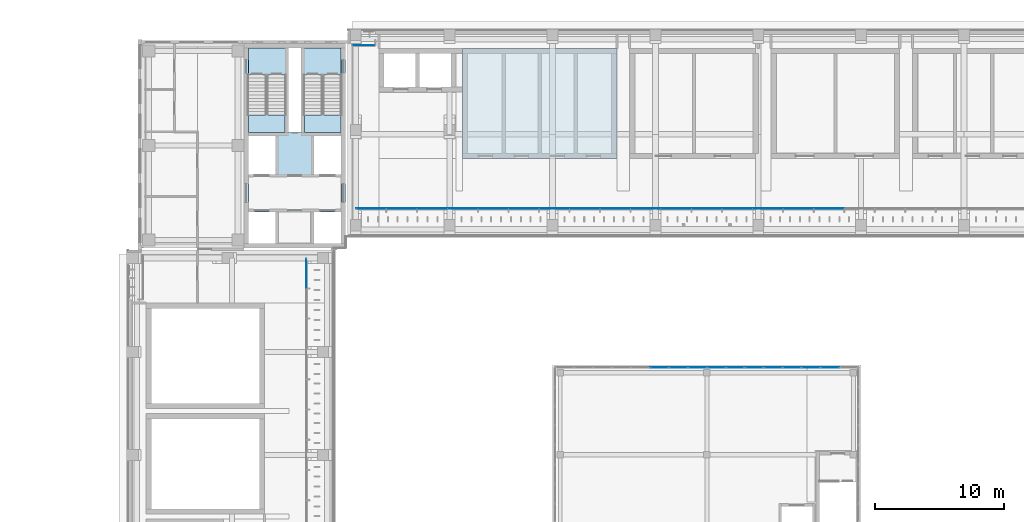
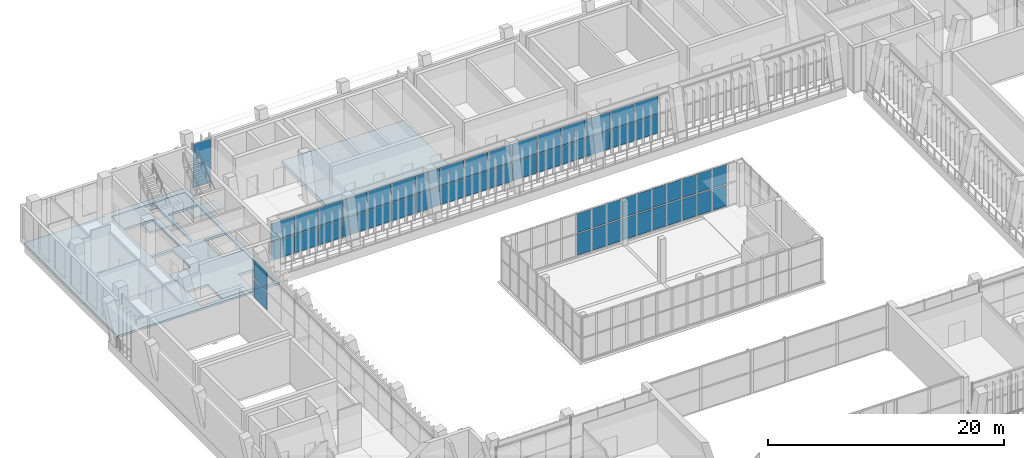
# One storey, part 55 of 92: 56 plates, 5 slabs, 6 elements without a shape of their own.
"""IFC4 building model written with IfcOpenShell, lengths in metres."""

from ifc_helpers import new_model, si_unit, direction, frame, origin, origin_2d, place, context, subcontext, project, spatial, polyline, rectangle, outline, extrude, material, layer, layer_set, type_object, element, aggregate, save


model = new_model("IFC4")

# Units and contexts
model_context = context("Model", 3, precision=1e-05, world=origin(), true_north=direction((0.0, 1.0)))
body_context = subcontext(model_context, "Body", "Model", "MODEL_VIEW")
ifc_project = project(units=[si_unit("LENGTHUNIT", "METRE"), si_unit("AREAUNIT", "SQUARE_METRE"), si_unit("VOLUMEUNIT", "CUBIC_METRE"), si_unit("PLANEANGLEUNIT", "RADIAN"), si_unit("MASSUNIT", "GRAM", prefix="KILO")], contexts=[model_context])

# Site, building, storey
site_placement = place(None, origin())
site = spatial("IfcSite", under=ifc_project, at=site_placement, CompositionType="ELEMENT")
building_placement = place(site_placement, origin())
building = spatial("IfcBuilding", under=site, at=building_placement, Name="Lantern Court Media Centre", CompositionType="ELEMENT")
storey_placement = place(building_placement, frame((0.0, 0.0, 4.800048828125)))
storey = spatial("IfcBuildingStorey", under=building, at=storey_placement, Name="L01", CompositionType="ELEMENT", Elevation=4.800048828125)

# Slab
ifc_material_1 = material(Name="Concrete C40", Category="concrete")
ifc_layer_1 = layer(ifc_material_1, 0.25)
ifc_layer_set_1 = layer_set([ifc_layer_1], Name="Concrete C40")
slab_type_1 = type_object("IfcSlabType", Name="Core floor slab 250", PredefinedType="FLOOR", material=ifc_layer_set_1)
slab_1_placement = place(storey_placement, frame((0.0, 0.0, -0.25)))
element("IfcSlab", 1, at=slab_1_placement, inside=storey, type_object=slab_type_1, Name="L01 NW core floor", PredefinedType="FLOOR", context=body_context, shape_type="SweptSolid", body=[
    extrude(outline(polyline([(16.35009765625, 104.800048828125), (16.35009765625, 105.05029296875), (19.19970703125, 105.05029296875), (19.19970703125, 109.549560546875), (16.35009765625, 109.549560546875), (16.35009765625, 111.64990234375), (19.449951171875, 111.64990234375), (19.449951171875, 105.050048828125), (20.449951171875, 105.050048828125), (20.449951171875, 111.64990234375), (23.550048828125, 111.64990234375), (23.550048828125, 109.549560546875), (20.700439453125, 109.549560546875), (20.700439453125, 105.05029296875), (23.550048828125, 105.05029296875), (23.550048828125, 104.800048828125), (21.449951171875, 104.800048828125), (21.449951171875, 101.800048828125), (23.550048828125, 101.800048828125), (23.550048828125, 98.89990234375), (21.449951171875, 98.89990234375), (21.449951171875, 96.449951171875), (18.449951171875, 96.449951171875), (18.449951171875, 98.89990234375), (16.35009765625, 98.89990234375), (16.35009765625, 101.800048828125), (18.449951171875, 101.800048828125), (18.449951171875, 104.800048828125), (16.35009765625, 104.800048828125)])), origin(), (0.0, 0.0, 1.0), 0.25),
])

# Curtain wall, plates
ifc_material_2 = material(Name="Curtain wall bay 2400")
curtain_wall_type_1 = type_object("IfcCurtainWallType", Name="Curtain wall bay 2400", PredefinedType="NOTDEFINED", material=ifc_material_2)
curtain_wall_1_placement = place(storey_placement, origin())
curtain_wall_1 = element("IfcCurtainWall", 2, at=curtain_wall_1_placement, inside=storey, type_object=curtain_wall_type_1, Name="Curtain wall N inner L01", PredefinedType="NOTDEFINED")
ifc_material_3 = material(Name="Low-iron double glazed unit glass", Category="glass")
ifc_layer_2 = layer(ifc_material_3, 0.02392578125)
ifc_layer_set_2 = layer_set([ifc_layer_2], Name="Low-iron double glazed unit glass")
plate_type_1 = type_object("IfcPlateType", Name="Curtain wall glazing unit 24", PredefinedType="CURTAIN_PANEL", material=ifc_layer_set_2)
plate_1_placement = place(storey_placement, frame((25.8994140625, 99.14990234375, 0.050048828125), z_axis=(0.0, 0.0, 1.0), x_axis=(1.0, 0.0, 0.0)))
plate_1 = element("IfcPlate", 3, at=plate_1_placement, type_object=plate_type_1, Name="CW2 panel 1.1", PredefinedType="CURTAIN_PANEL", context=body_context, shape_type="SweptSolid", body=[
    extrude(rectangle(XDim=2.298828125, YDim=0.02392578125, at=origin_2d()), origin(), (0.0, 0.0, 1.0), 1.89990234375),
])
plate_2_placement = place(storey_placement, frame((25.8994140625, 99.14990234375, 2.0), z_axis=(0.0, 0.0, 1.0), x_axis=(1.0, 0.0, 0.0)))
plate_2 = element("IfcPlate", 4, at=plate_2_placement, type_object=plate_type_1, Name="CW2 panel 1.2", PredefinedType="CURTAIN_PANEL", context=body_context, shape_type="SweptSolid", body=[
    extrude(rectangle(XDim=2.298828125, YDim=0.02392578125, at=origin_2d()), origin(), (0.0, 0.0, 1.0), 1.89990234375),
])
plate_3_placement = place(storey_placement, frame((28.260986328125, 99.14990234375, 0.050048828125), z_axis=(0.0, 0.0, 1.0), x_axis=(1.0, 0.0, 0.0)))
plate_3 = element("IfcPlate", 5, at=plate_3_placement, type_object=plate_type_1, Name="CW2 panel 2.1", PredefinedType="CURTAIN_PANEL", context=body_context, shape_type="SweptSolid", body=[
    extrude(rectangle(XDim=2.323974609375, YDim=0.02392578125, at=origin_2d()), origin(), (0.0, 0.0, 1.0), 1.89990234375),
])
plate_4_placement = place(storey_placement, frame((28.260986328125, 99.14990234375, 2.0), z_axis=(0.0, 0.0, 1.0), x_axis=(1.0, 0.0, 0.0)))
plate_4 = element("IfcPlate", 6, at=plate_4_placement, type_object=plate_type_1, Name="CW2 panel 2.2", PredefinedType="CURTAIN_PANEL", context=body_context, shape_type="SweptSolid", body=[
    extrude(rectangle(XDim=2.323974609375, YDim=0.02392578125, at=origin_2d()), origin(), (0.0, 0.0, 1.0), 1.89990234375),
])
plate_5_placement = place(storey_placement, frame((30.634765625, 99.14990234375, 0.050048828125), z_axis=(0.0, 0.0, 1.0), x_axis=(1.0, 0.0, 0.0)))
plate_5 = element("IfcPlate", 7, at=plate_5_placement, type_object=plate_type_1, Name="CW2 panel 3.1", PredefinedType="CURTAIN_PANEL", context=body_context, shape_type="SweptSolid", body=[
    extrude(rectangle(XDim=2.323974609375, YDim=0.02392578125, at=origin_2d()), origin(), (0.0, 0.0, 1.0), 1.89990234375),
])
plate_6_placement = place(storey_placement, frame((30.634765625, 99.14990234375, 2.0), z_axis=(0.0, 0.0, 1.0), x_axis=(1.0, 0.0, 0.0)))
plate_6 = element("IfcPlate", 8, at=plate_6_placement, type_object=plate_type_1, Name="CW2 panel 3.2", PredefinedType="CURTAIN_PANEL", context=body_context, shape_type="SweptSolid", body=[
    extrude(rectangle(XDim=2.323974609375, YDim=0.02392578125, at=origin_2d()), origin(), (0.0, 0.0, 1.0), 1.89990234375),
])
plate_7_placement = place(storey_placement, frame((33.0087890625, 99.14990234375, 0.050048828125), z_axis=(0.0, 0.0, 1.0), x_axis=(1.0, 0.0, 0.0)))
plate_7 = element("IfcPlate", 9, at=plate_7_placement, type_object=plate_type_1, Name="CW2 panel 4.1", PredefinedType="CURTAIN_PANEL", context=body_context, shape_type="SweptSolid", body=[
    extrude(rectangle(XDim=2.323974609375, YDim=0.02392578125, at=origin_2d()), origin(), (0.0, 0.0, 1.0), 1.89990234375),
])
plate_8_placement = place(storey_placement, frame((33.0087890625, 99.14990234375, 2.0), z_axis=(0.0, 0.0, 1.0), x_axis=(1.0, 0.0, 0.0)))
plate_8 = element("IfcPlate", 10, at=plate_8_placement, type_object=plate_type_1, Name="CW2 panel 4.2", PredefinedType="CURTAIN_PANEL", context=body_context, shape_type="SweptSolid", body=[
    extrude(rectangle(XDim=2.323974609375, YDim=0.02392578125, at=origin_2d()), origin(), (0.0, 0.0, 1.0), 1.89990234375),
])
plate_9_placement = place(storey_placement, frame((35.382568359375, 99.14990234375, 0.050048828125), z_axis=(0.0, 0.0, 1.0), x_axis=(1.0, 0.0, 0.0)))
plate_9 = element("IfcPlate", 11, at=plate_9_placement, type_object=plate_type_1, Name="CW2 panel 5.1", PredefinedType="CURTAIN_PANEL", context=body_context, shape_type="SweptSolid", body=[
    extrude(rectangle(XDim=2.323974609375, YDim=0.02392578125, at=origin_2d()), origin(), (0.0, 0.0, 1.0), 1.89990234375),
])
plate_10_placement = place(storey_placement, frame((35.382568359375, 99.14990234375, 2.0), z_axis=(0.0, 0.0, 1.0), x_axis=(1.0, 0.0, 0.0)))
plate_10 = element("IfcPlate", 12, at=plate_10_placement, type_object=plate_type_1, Name="CW2 panel 5.2", PredefinedType="CURTAIN_PANEL", context=body_context, shape_type="SweptSolid", body=[
    extrude(rectangle(XDim=2.323974609375, YDim=0.02392578125, at=origin_2d()), origin(), (0.0, 0.0, 1.0), 1.89990234375),
])
plate_11_placement = place(storey_placement, frame((37.756591796875, 99.14990234375, 0.050048828125), z_axis=(0.0, 0.0, 1.0), x_axis=(1.0, 0.0, 0.0)))
plate_11 = element("IfcPlate", 13, at=plate_11_placement, type_object=plate_type_1, Name="CW2 panel 6.1", PredefinedType="CURTAIN_PANEL", context=body_context, shape_type="SweptSolid", body=[
    extrude(rectangle(XDim=2.323974609375, YDim=0.02392578125, at=origin_2d()), origin(), (0.0, 0.0, 1.0), 1.89990234375),
])
plate_12_placement = place(storey_placement, frame((37.756591796875, 99.14990234375, 2.0), z_axis=(0.0, 0.0, 1.0), x_axis=(1.0, 0.0, 0.0)))
plate_12 = element("IfcPlate", 14, at=plate_12_placement, type_object=plate_type_1, Name="CW2 panel 6.2", PredefinedType="CURTAIN_PANEL", context=body_context, shape_type="SweptSolid", body=[
    extrude(rectangle(XDim=2.323974609375, YDim=0.02392578125, at=origin_2d()), origin(), (0.0, 0.0, 1.0), 1.89990234375),
])
plate_13_placement = place(storey_placement, frame((40.13037109375, 99.14990234375, 0.050048828125), z_axis=(0.0, 0.0, 1.0), x_axis=(1.0, 0.0, 0.0)))
plate_13 = element("IfcPlate", 15, at=plate_13_placement, type_object=plate_type_1, Name="CW2 panel 7.1", PredefinedType="CURTAIN_PANEL", context=body_context, shape_type="SweptSolid", body=[
    extrude(rectangle(XDim=2.323974609375, YDim=0.02392578125, at=origin_2d()), origin(), (0.0, 0.0, 1.0), 1.89990234375),
])
plate_14_placement = place(storey_placement, frame((40.13037109375, 99.14990234375, 2.0), z_axis=(0.0, 0.0, 1.0), x_axis=(1.0, 0.0, 0.0)))
plate_14 = element("IfcPlate", 16, at=plate_14_placement, type_object=plate_type_1, Name="CW2 panel 7.2", PredefinedType="CURTAIN_PANEL", context=body_context, shape_type="SweptSolid", body=[
    extrude(rectangle(XDim=2.323974609375, YDim=0.02392578125, at=origin_2d()), origin(), (0.0, 0.0, 1.0), 1.89990234375),
])
plate_15_placement = place(storey_placement, frame((42.50439453125, 99.14990234375, 0.050048828125), z_axis=(0.0, 0.0, 1.0), x_axis=(1.0, 0.0, 0.0)))
plate_15 = element("IfcPlate", 17, at=plate_15_placement, type_object=plate_type_1, Name="CW2 panel 8.1", PredefinedType="CURTAIN_PANEL", context=body_context, shape_type="SweptSolid", body=[
    extrude(rectangle(XDim=2.323974609375, YDim=0.02392578125, at=origin_2d()), origin(), (0.0, 0.0, 1.0), 1.89990234375),
])
plate_16_placement = place(storey_placement, frame((42.50439453125, 99.14990234375, 2.0), z_axis=(0.0, 0.0, 1.0), x_axis=(1.0, 0.0, 0.0)))
plate_16 = element("IfcPlate", 18, at=plate_16_placement, type_object=plate_type_1, Name="CW2 panel 8.2", PredefinedType="CURTAIN_PANEL", context=body_context, shape_type="SweptSolid", body=[
    extrude(rectangle(XDim=2.323974609375, YDim=0.02392578125, at=origin_2d()), origin(), (0.0, 0.0, 1.0), 1.89990234375),
])
plate_17_placement = place(storey_placement, frame((44.878173828125, 99.14990234375, 0.050048828125), z_axis=(0.0, 0.0, 1.0), x_axis=(1.0, 0.0, 0.0)))
plate_17 = element("IfcPlate", 19, at=plate_17_placement, type_object=plate_type_1, Name="CW2 panel 9.1", PredefinedType="CURTAIN_PANEL", context=body_context, shape_type="SweptSolid", body=[
    extrude(rectangle(XDim=2.323974609375, YDim=0.02392578125, at=origin_2d()), origin(), (0.0, 0.0, 1.0), 1.89990234375),
])
plate_18_placement = place(storey_placement, frame((44.878173828125, 99.14990234375, 2.0), z_axis=(0.0, 0.0, 1.0), x_axis=(1.0, 0.0, 0.0)))
plate_18 = element("IfcPlate", 20, at=plate_18_placement, type_object=plate_type_1, Name="CW2 panel 9.2", PredefinedType="CURTAIN_PANEL", context=body_context, shape_type="SweptSolid", body=[
    extrude(rectangle(XDim=2.323974609375, YDim=0.02392578125, at=origin_2d()), origin(), (0.0, 0.0, 1.0), 1.89990234375),
])
plate_19_placement = place(storey_placement, frame((47.252197265625, 99.14990234375, 0.050048828125), z_axis=(0.0, 0.0, 1.0), x_axis=(1.0, 0.0, 0.0)))
plate_19 = element("IfcPlate", 21, at=plate_19_placement, type_object=plate_type_1, Name="CW2 panel 10.1", PredefinedType="CURTAIN_PANEL", context=body_context, shape_type="SweptSolid", body=[
    extrude(rectangle(XDim=2.323974609375, YDim=0.02392578125, at=origin_2d()), origin(), (0.0, 0.0, 1.0), 1.89990234375),
])
plate_20_placement = place(storey_placement, frame((47.252197265625, 99.14990234375, 2.0), z_axis=(0.0, 0.0, 1.0), x_axis=(1.0, 0.0, 0.0)))
plate_20 = element("IfcPlate", 22, at=plate_20_placement, type_object=plate_type_1, Name="CW2 panel 10.2", PredefinedType="CURTAIN_PANEL", context=body_context, shape_type="SweptSolid", body=[
    extrude(rectangle(XDim=2.323974609375, YDim=0.02392578125, at=origin_2d()), origin(), (0.0, 0.0, 1.0), 1.89990234375),
])
plate_21_placement = place(storey_placement, frame((49.6259765625, 99.14990234375, 0.050048828125), z_axis=(0.0, 0.0, 1.0), x_axis=(1.0, 0.0, 0.0)))
plate_21 = element("IfcPlate", 23, at=plate_21_placement, type_object=plate_type_1, Name="CW2 panel 11.1", PredefinedType="CURTAIN_PANEL", context=body_context, shape_type="SweptSolid", body=[
    extrude(rectangle(XDim=2.323974609375, YDim=0.02392578125, at=origin_2d()), origin(), (0.0, 0.0, 1.0), 1.89990234375),
])
plate_22_placement = place(storey_placement, frame((49.6259765625, 99.14990234375, 2.0), z_axis=(0.0, 0.0, 1.0), x_axis=(1.0, 0.0, 0.0)))
plate_22 = element("IfcPlate", 24, at=plate_22_placement, type_object=plate_type_1, Name="CW2 panel 11.2", PredefinedType="CURTAIN_PANEL", context=body_context, shape_type="SweptSolid", body=[
    extrude(rectangle(XDim=2.323974609375, YDim=0.02392578125, at=origin_2d()), origin(), (0.0, 0.0, 1.0), 1.89990234375),
])
plate_23_placement = place(storey_placement, frame((52.0, 99.14990234375, 0.050048828125), z_axis=(0.0, 0.0, 1.0), x_axis=(1.0, 0.0, 0.0)))
plate_23 = element("IfcPlate", 25, at=plate_23_placement, type_object=plate_type_1, Name="CW2 panel 12.1", PredefinedType="CURTAIN_PANEL", context=body_context, shape_type="SweptSolid", body=[
    extrude(rectangle(XDim=2.323974609375, YDim=0.02392578125, at=origin_2d()), origin(), (0.0, 0.0, 1.0), 1.89990234375),
])
plate_24_placement = place(storey_placement, frame((52.0, 99.14990234375, 2.0), z_axis=(0.0, 0.0, 1.0), x_axis=(1.0, 0.0, 0.0)))
plate_24 = element("IfcPlate", 26, at=plate_24_placement, type_object=plate_type_1, Name="CW2 panel 12.2", PredefinedType="CURTAIN_PANEL", context=body_context, shape_type="SweptSolid", body=[
    extrude(rectangle(XDim=2.323974609375, YDim=0.02392578125, at=origin_2d()), origin(), (0.0, 0.0, 1.0), 1.89990234375),
])
plate_25_placement = place(storey_placement, frame((54.3740234375, 99.14990234375, 0.050048828125), z_axis=(0.0, 0.0, 1.0), x_axis=(1.0, 0.0, 0.0)))
plate_25 = element("IfcPlate", 27, at=plate_25_placement, type_object=plate_type_1, Name="CW2 panel 13.1", PredefinedType="CURTAIN_PANEL", context=body_context, shape_type="SweptSolid", body=[
    extrude(rectangle(XDim=2.323974609375, YDim=0.02392578125, at=origin_2d()), origin(), (0.0, 0.0, 1.0), 1.89990234375),
])
plate_26_placement = place(storey_placement, frame((54.3740234375, 99.14990234375, 2.0), z_axis=(0.0, 0.0, 1.0), x_axis=(1.0, 0.0, 0.0)))
plate_26 = element("IfcPlate", 28, at=plate_26_placement, type_object=plate_type_1, Name="CW2 panel 13.2", PredefinedType="CURTAIN_PANEL", context=body_context, shape_type="SweptSolid", body=[
    extrude(rectangle(XDim=2.323974609375, YDim=0.02392578125, at=origin_2d()), origin(), (0.0, 0.0, 1.0), 1.89990234375),
])
plate_27_placement = place(storey_placement, frame((56.747802734375, 99.14990234375, 0.050048828125), z_axis=(0.0, 0.0, 1.0), x_axis=(1.0, 0.0, 0.0)))
plate_27 = element("IfcPlate", 29, at=plate_27_placement, type_object=plate_type_1, Name="CW2 panel 14.1", PredefinedType="CURTAIN_PANEL", context=body_context, shape_type="SweptSolid", body=[
    extrude(rectangle(XDim=2.323974609375, YDim=0.02392578125, at=origin_2d()), origin(), (0.0, 0.0, 1.0), 1.89990234375),
])
plate_28_placement = place(storey_placement, frame((56.747802734375, 99.14990234375, 2.0), z_axis=(0.0, 0.0, 1.0), x_axis=(1.0, 0.0, 0.0)))
plate_28 = element("IfcPlate", 30, at=plate_28_placement, type_object=plate_type_1, Name="CW2 panel 14.2", PredefinedType="CURTAIN_PANEL", context=body_context, shape_type="SweptSolid", body=[
    extrude(rectangle(XDim=2.323974609375, YDim=0.02392578125, at=origin_2d()), origin(), (0.0, 0.0, 1.0), 1.89990234375),
])
plate_29_placement = place(storey_placement, frame((59.121826171875, 99.14990234375, 0.050048828125), z_axis=(0.0, 0.0, 1.0), x_axis=(1.0, 0.0, 0.0)))
plate_29 = element("IfcPlate", 31, at=plate_29_placement, type_object=plate_type_1, Name="CW2 panel 15.1", PredefinedType="CURTAIN_PANEL", context=body_context, shape_type="SweptSolid", body=[
    extrude(rectangle(XDim=2.323974609375, YDim=0.02392578125, at=origin_2d()), origin(), (0.0, 0.0, 1.0), 1.89990234375),
])
plate_30_placement = place(storey_placement, frame((59.121826171875, 99.14990234375, 2.0), z_axis=(0.0, 0.0, 1.0), x_axis=(1.0, 0.0, 0.0)))
plate_30 = element("IfcPlate", 32, at=plate_30_placement, type_object=plate_type_1, Name="CW2 panel 15.2", PredefinedType="CURTAIN_PANEL", context=body_context, shape_type="SweptSolid", body=[
    extrude(rectangle(XDim=2.323974609375, YDim=0.02392578125, at=origin_2d()), origin(), (0.0, 0.0, 1.0), 1.89990234375),
])
plate_31_placement = place(storey_placement, frame((61.49560546875, 99.14990234375, 0.050048828125), z_axis=(0.0, 0.0, 1.0), x_axis=(1.0, 0.0, 0.0)))
plate_31 = element("IfcPlate", 33, at=plate_31_placement, type_object=plate_type_1, Name="CW2 panel 16.1", PredefinedType="CURTAIN_PANEL", context=body_context, shape_type="SweptSolid", body=[
    extrude(rectangle(XDim=2.323974609375, YDim=0.02392578125, at=origin_2d()), origin(), (0.0, 0.0, 1.0), 1.89990234375),
])
plate_32_placement = place(storey_placement, frame((61.49560546875, 99.14990234375, 2.0), z_axis=(0.0, 0.0, 1.0), x_axis=(1.0, 0.0, 0.0)))
plate_32 = element("IfcPlate", 34, at=plate_32_placement, type_object=plate_type_1, Name="CW2 panel 16.2", PredefinedType="CURTAIN_PANEL", context=body_context, shape_type="SweptSolid", body=[
    extrude(rectangle(XDim=2.323974609375, YDim=0.02392578125, at=origin_2d()), origin(), (0.0, 0.0, 1.0), 1.89990234375),
])
aggregate(curtain_wall_1, [plate_1, plate_2, plate_3, plate_4, plate_5, plate_6, plate_7, plate_8, plate_9, plate_10, plate_11, plate_12, plate_13, plate_14, plate_15, plate_16, plate_17, plate_18, plate_19, plate_20, plate_21, plate_22, plate_23, plate_24, plate_25, plate_26, plate_27, plate_28, plate_29, plate_30, plate_31, plate_32])

curtain_wall_2_placement = place(storey_placement, origin())
curtain_wall_2 = element("IfcCurtainWall", 35, at=curtain_wall_2_placement, inside=storey, type_object=curtain_wall_type_1, Name="Curtain wall W inner L01", PredefinedType="NOTDEFINED")
plate_33_placement = place(storey_placement, frame((20.85009765625, 94.110595703125, 0.050048828125), z_axis=(0.0, 0.0, 1.0), x_axis=(0.0, 1.0, 0.0)))
plate_33 = element("IfcPlate", 36, at=plate_33_placement, type_object=plate_type_1, Name="CW2 panel 13.1", PredefinedType="CURTAIN_PANEL", context=body_context, shape_type="SweptSolid", body=[
    extrude(rectangle(XDim=2.27880859375, YDim=0.02392578125, at=origin_2d()), origin(), (0.0, 0.0, 1.0), 1.89990234375),
])
plate_34_placement = place(storey_placement, frame((20.85009765625, 94.110595703125, 2.0), z_axis=(0.0, 0.0, 1.0), x_axis=(0.0, 1.0, 0.0)))
plate_34 = element("IfcPlate", 37, at=plate_34_placement, type_object=plate_type_1, Name="CW2 panel 13.2", PredefinedType="CURTAIN_PANEL", context=body_context, shape_type="SweptSolid", body=[
    extrude(rectangle(XDim=2.27880859375, YDim=0.02392578125, at=origin_2d()), origin(), (0.0, 0.0, 1.0), 1.89990234375),
])
aggregate(curtain_wall_2, [plate_33, plate_34])

ifc_material_4 = material(Name="Curtain wall bay 3000")
curtain_wall_type_2 = type_object("IfcCurtainWallType", Name="Curtain wall bay 3000", PredefinedType="NOTDEFINED", material=ifc_material_4)
curtain_wall_3_placement = place(storey_placement, origin())
curtain_wall_3 = element("IfcCurtainWall", 38, at=curtain_wall_3_placement, inside=storey, type_object=curtain_wall_type_2, Name="Curtain wall N outer L01", PredefinedType="NOTDEFINED")
ifc_layer_3 = layer(ifc_material_3, 0.028076171875)
ifc_layer_set_3 = layer_set([ifc_layer_3], Name="Low-iron double glazed unit glass")
plate_type_2 = type_object("IfcPlateType", Name="Curtain wall glazing unit 28", PredefinedType="CURTAIN_PANEL", material=ifc_layer_set_3)
plate_35_placement = place(storey_placement, frame((25.3349609375, 111.85009765625, 0.06005859375), z_axis=(0.0, 0.0, 1.0), x_axis=(1.0, 0.0, 0.0)))
plate_35 = element("IfcPlate", 39, at=plate_35_placement, type_object=plate_type_2, Name="CW1 panel 1.1", PredefinedType="CURTAIN_PANEL", context=body_context, shape_type="SweptSolid", body=[
    extrude(rectangle(XDim=1.7099609375, YDim=0.028076171875, at=origin_2d()), origin(), (0.0, 0.0, 1.0), 2.199951171875),
])
plate_36_placement = place(storey_placement, frame((25.3349609375, 111.85009765625, 2.31982421875), z_axis=(0.0, 0.0, 1.0), x_axis=(1.0, 0.0, 0.0)))
plate_36 = element("IfcPlate", 40, at=plate_36_placement, type_object=plate_type_2, Name="CW1 panel 1.2", PredefinedType="CURTAIN_PANEL", context=body_context, shape_type="SweptSolid", body=[
    extrude(rectangle(XDim=1.7099609375, YDim=0.028076171875, at=origin_2d()), origin(), (0.0, 0.0, 1.0), 2.199951171875),
])
aggregate(curtain_wall_3, [plate_35, plate_36])

ifc_material_5 = material(Name="Aluminium and glass", Category="aluminium")
ifc_layer_4 = layer(ifc_material_5, 0.14990234375)
ifc_layer_set_4 = layer_set([ifc_layer_4], Name="Aluminium and glass")
curtain_wall_type_3 = type_object("IfcCurtainWallType", Name="Hall lancet glazing", PredefinedType="NOTDEFINED", material=ifc_layer_set_4)
curtain_wall_4_placement = place(storey_placement, origin())
curtain_wall_4 = element("IfcCurtainWall", 41, at=curtain_wall_4_placement, inside=storey, type_object=curtain_wall_type_3, Name="Press box glazing N 3", PredefinedType="NOTDEFINED")
ifc_material_6 = material(Name="Laminated glass 6+6", Category="glass")
ifc_layer_5 = layer(ifc_material_6, 0.028076171875)
ifc_layer_set_5 = layer_set([ifc_layer_5], Name="Laminated glass 6+6")
plate_type_3 = type_object("IfcPlateType", Name="HP", PredefinedType="CURTAIN_PANEL", material=ifc_layer_set_5)
plate_37_placement = place(storey_placement, frame((48.3125, 86.800048828125, 0.1201171875), z_axis=(0.0, 0.0, 1.0), x_axis=(1.0, 0.0, 0.0)))
plate_37 = element("IfcPlate", 42, at=plate_37_placement, type_object=plate_type_3, Name="HCW-PN3 panel 6.1", PredefinedType="CURTAIN_PANEL", context=body_context, shape_type="SweptSolid", body=[
    extrude(rectangle(XDim=1.4150390625, YDim=0.028076171875, at=origin_2d()), origin(), (0.0, 0.0, 1.0), 2.219970703125),
])
plate_38_placement = place(storey_placement, frame((48.3125, 86.800048828125, 2.4599609375), z_axis=(0.0, 0.0, 1.0), x_axis=(1.0, 0.0, 0.0)))
plate_38 = element("IfcPlate", 43, at=plate_38_placement, type_object=plate_type_3, Name="HCW-PN3 panel 6.2", PredefinedType="CURTAIN_PANEL", context=body_context, shape_type="SweptSolid", body=[
    extrude(rectangle(XDim=1.4150390625, YDim=0.028076171875, at=origin_2d()), origin(), (0.0, 0.0, 1.0), 1.969970703125),
])
plate_39_placement = place(storey_placement, frame((49.78759765625, 86.800048828125, 0.1201171875), z_axis=(0.0, 0.0, 1.0), x_axis=(1.0, 0.0, 0.0)))
plate_39 = element("IfcPlate", 44, at=plate_39_placement, type_object=plate_type_3, Name="HCW-PN3 panel 7.1", PredefinedType="CURTAIN_PANEL", context=body_context, shape_type="SweptSolid", body=[
    extrude(rectangle(XDim=1.4150390625, YDim=0.028076171875, at=origin_2d()), origin(), (0.0, 0.0, 1.0), 2.219970703125),
])
plate_40_placement = place(storey_placement, frame((49.78759765625, 86.800048828125, 2.4599609375), z_axis=(0.0, 0.0, 1.0), x_axis=(1.0, 0.0, 0.0)))
plate_40 = element("IfcPlate", 45, at=plate_40_placement, type_object=plate_type_3, Name="HCW-PN3 panel 7.2", PredefinedType="CURTAIN_PANEL", context=body_context, shape_type="SweptSolid", body=[
    extrude(rectangle(XDim=1.4150390625, YDim=0.028076171875, at=origin_2d()), origin(), (0.0, 0.0, 1.0), 1.969970703125),
])
plate_41_placement = place(storey_placement, frame((51.262451171875, 86.800048828125, 0.1201171875), z_axis=(0.0, 0.0, 1.0), x_axis=(1.0, 0.0, 0.0)))
plate_41 = element("IfcPlate", 46, at=plate_41_placement, type_object=plate_type_3, Name="HCW-PN3 panel 8.1", PredefinedType="CURTAIN_PANEL", context=body_context, shape_type="SweptSolid", body=[
    extrude(rectangle(XDim=1.4150390625, YDim=0.028076171875, at=origin_2d()), origin(), (0.0, 0.0, 1.0), 2.219970703125),
])
plate_42_placement = place(storey_placement, frame((51.262451171875, 86.800048828125, 2.4599609375), z_axis=(0.0, 0.0, 1.0), x_axis=(1.0, 0.0, 0.0)))
plate_42 = element("IfcPlate", 47, at=plate_42_placement, type_object=plate_type_3, Name="HCW-PN3 panel 8.2", PredefinedType="CURTAIN_PANEL", context=body_context, shape_type="SweptSolid", body=[
    extrude(rectangle(XDim=1.4150390625, YDim=0.028076171875, at=origin_2d()), origin(), (0.0, 0.0, 1.0), 1.969970703125),
])
plate_43_placement = place(storey_placement, frame((52.737548828125, 86.800048828125, 0.1201171875), z_axis=(0.0, 0.0, 1.0), x_axis=(1.0, 0.0, 0.0)))
plate_43 = element("IfcPlate", 48, at=plate_43_placement, type_object=plate_type_3, Name="HCW-PN3 panel 9.1", PredefinedType="CURTAIN_PANEL", context=body_context, shape_type="SweptSolid", body=[
    extrude(rectangle(XDim=1.4150390625, YDim=0.028076171875, at=origin_2d()), origin(), (0.0, 0.0, 1.0), 2.219970703125),
])
plate_44_placement = place(storey_placement, frame((52.737548828125, 86.800048828125, 2.4599609375), z_axis=(0.0, 0.0, 1.0), x_axis=(1.0, 0.0, 0.0)))
plate_44 = element("IfcPlate", 49, at=plate_44_placement, type_object=plate_type_3, Name="HCW-PN3 panel 9.2", PredefinedType="CURTAIN_PANEL", context=body_context, shape_type="SweptSolid", body=[
    extrude(rectangle(XDim=1.4150390625, YDim=0.028076171875, at=origin_2d()), origin(), (0.0, 0.0, 1.0), 1.969970703125),
])
plate_45_placement = place(storey_placement, frame((54.21240234375, 86.800048828125, 0.1201171875), z_axis=(0.0, 0.0, 1.0), x_axis=(1.0, 0.0, 0.0)))
plate_45 = element("IfcPlate", 50, at=plate_45_placement, type_object=plate_type_3, Name="HCW-PN3 panel 10.1", PredefinedType="CURTAIN_PANEL", context=body_context, shape_type="SweptSolid", body=[
    extrude(rectangle(XDim=1.4150390625, YDim=0.028076171875, at=origin_2d()), origin(), (0.0, 0.0, 1.0), 2.219970703125),
])
plate_46_placement = place(storey_placement, frame((54.21240234375, 86.800048828125, 2.4599609375), z_axis=(0.0, 0.0, 1.0), x_axis=(1.0, 0.0, 0.0)))
plate_46 = element("IfcPlate", 51, at=plate_46_placement, type_object=plate_type_3, Name="HCW-PN3 panel 10.2", PredefinedType="CURTAIN_PANEL", context=body_context, shape_type="SweptSolid", body=[
    extrude(rectangle(XDim=1.4150390625, YDim=0.028076171875, at=origin_2d()), origin(), (0.0, 0.0, 1.0), 1.969970703125),
])
plate_47_placement = place(storey_placement, frame((55.6875, 86.800048828125, 0.1201171875), z_axis=(0.0, 0.0, 1.0), x_axis=(1.0, 0.0, 0.0)))
plate_47 = element("IfcPlate", 52, at=plate_47_placement, type_object=plate_type_3, Name="HCW-PN3 panel 11.1", PredefinedType="CURTAIN_PANEL", context=body_context, shape_type="SweptSolid", body=[
    extrude(rectangle(XDim=1.4150390625, YDim=0.028076171875, at=origin_2d()), origin(), (0.0, 0.0, 1.0), 2.219970703125),
])
plate_48_placement = place(storey_placement, frame((55.6875, 86.800048828125, 2.4599609375), z_axis=(0.0, 0.0, 1.0), x_axis=(1.0, 0.0, 0.0)))
plate_48 = element("IfcPlate", 53, at=plate_48_placement, type_object=plate_type_3, Name="HCW-PN3 panel 11.2", PredefinedType="CURTAIN_PANEL", context=body_context, shape_type="SweptSolid", body=[
    extrude(rectangle(XDim=1.4150390625, YDim=0.028076171875, at=origin_2d()), origin(), (0.0, 0.0, 1.0), 1.969970703125),
])
plate_49_placement = place(storey_placement, frame((57.16259765625, 86.800048828125, 0.1201171875), z_axis=(0.0, 0.0, 1.0), x_axis=(1.0, 0.0, 0.0)))
plate_49 = element("IfcPlate", 54, at=plate_49_placement, type_object=plate_type_3, Name="HCW-PN3 panel 12.1", PredefinedType="CURTAIN_PANEL", context=body_context, shape_type="SweptSolid", body=[
    extrude(rectangle(XDim=1.4150390625, YDim=0.028076171875, at=origin_2d()), origin(), (0.0, 0.0, 1.0), 2.219970703125),
])
plate_50_placement = place(storey_placement, frame((57.16259765625, 86.800048828125, 2.4599609375), z_axis=(0.0, 0.0, 1.0), x_axis=(1.0, 0.0, 0.0)))
plate_50 = element("IfcPlate", 55, at=plate_50_placement, type_object=plate_type_3, Name="HCW-PN3 panel 12.2", PredefinedType="CURTAIN_PANEL", context=body_context, shape_type="SweptSolid", body=[
    extrude(rectangle(XDim=1.4150390625, YDim=0.028076171875, at=origin_2d()), origin(), (0.0, 0.0, 1.0), 1.969970703125),
])
plate_51_placement = place(storey_placement, frame((58.637451171875, 86.800048828125, 0.1201171875), z_axis=(0.0, 0.0, 1.0), x_axis=(1.0, 0.0, 0.0)))
plate_51 = element("IfcPlate", 56, at=plate_51_placement, type_object=plate_type_3, Name="HCW-PN3 panel 13.1", PredefinedType="CURTAIN_PANEL", context=body_context, shape_type="SweptSolid", body=[
    extrude(rectangle(XDim=1.4150390625, YDim=0.028076171875, at=origin_2d()), origin(), (0.0, 0.0, 1.0), 2.219970703125),
])
plate_52_placement = place(storey_placement, frame((58.637451171875, 86.800048828125, 2.4599609375), z_axis=(0.0, 0.0, 1.0), x_axis=(1.0, 0.0, 0.0)))
plate_52 = element("IfcPlate", 57, at=plate_52_placement, type_object=plate_type_3, Name="HCW-PN3 panel 13.2", PredefinedType="CURTAIN_PANEL", context=body_context, shape_type="SweptSolid", body=[
    extrude(rectangle(XDim=1.4150390625, YDim=0.028076171875, at=origin_2d()), origin(), (0.0, 0.0, 1.0), 1.969970703125),
])
plate_53_placement = place(storey_placement, frame((60.112548828125, 86.800048828125, 0.1201171875), z_axis=(0.0, 0.0, 1.0), x_axis=(1.0, 0.0, 0.0)))
plate_53 = element("IfcPlate", 58, at=plate_53_placement, type_object=plate_type_3, Name="HCW-PN3 panel 14.1", PredefinedType="CURTAIN_PANEL", context=body_context, shape_type="SweptSolid", body=[
    extrude(rectangle(XDim=1.4150390625, YDim=0.028076171875, at=origin_2d()), origin(), (0.0, 0.0, 1.0), 2.219970703125),
])
plate_54_placement = place(storey_placement, frame((60.112548828125, 86.800048828125, 2.4599609375), z_axis=(0.0, 0.0, 1.0), x_axis=(1.0, 0.0, 0.0)))
plate_54 = element("IfcPlate", 59, at=plate_54_placement, type_object=plate_type_3, Name="HCW-PN3 panel 14.2", PredefinedType="CURTAIN_PANEL", context=body_context, shape_type="SweptSolid", body=[
    extrude(rectangle(XDim=1.4150390625, YDim=0.028076171875, at=origin_2d()), origin(), (0.0, 0.0, 1.0), 1.969970703125),
])
plate_55_placement = place(storey_placement, frame((61.58740234375, 86.800048828125, 0.1201171875), z_axis=(0.0, 0.0, 1.0), x_axis=(1.0, 0.0, 0.0)))
plate_55 = element("IfcPlate", 60, at=plate_55_placement, type_object=plate_type_3, Name="HCW-PN3 panel 15.1", PredefinedType="CURTAIN_PANEL", context=body_context, shape_type="SweptSolid", body=[
    extrude(rectangle(XDim=1.4150390625, YDim=0.028076171875, at=origin_2d()), origin(), (0.0, 0.0, 1.0), 2.219970703125),
])
plate_56_placement = place(storey_placement, frame((61.58740234375, 86.800048828125, 2.4599609375), z_axis=(0.0, 0.0, 1.0), x_axis=(1.0, 0.0, 0.0)))
plate_56 = element("IfcPlate", 61, at=plate_56_placement, type_object=plate_type_3, Name="HCW-PN3 panel 15.2", PredefinedType="CURTAIN_PANEL", context=body_context, shape_type="SweptSolid", body=[
    extrude(rectangle(XDim=1.4150390625, YDim=0.028076171875, at=origin_2d()), origin(), (0.0, 0.0, 1.0), 1.969970703125),
])
aggregate(curtain_wall_4, [plate_37, plate_38, plate_39, plate_40, plate_41, plate_42, plate_43, plate_44, plate_45, plate_46, plate_47, plate_48, plate_49, plate_50, plate_51, plate_52, plate_53, plate_54, plate_55, plate_56])

# Slabs
ifc_material_7 = material(Name="Concrete C35", Category="concrete")
ifc_layer_6 = layer(ifc_material_7, 0.199951171875)
ifc_layer_set_6 = layer_set([ifc_layer_6], Name="Concrete C35")
slab_type_2 = type_object("IfcSlabType", Name="RC FLOOR SLAB 200", PredefinedType="FLOOR", material=ifc_layer_set_6)
slab_2_placement = place(storey_placement, frame((0.0, 0.0, -0.199951171875)))
element("IfcSlab", 62, at=slab_2_placement, inside=storey, type_object=slab_type_2, Name="SL-NW-L01", PredefinedType="FLOOR", context=body_context, shape_type="SweptSolid", body=[
    extrude(outline(polyline([(8.0, 112.0), (15.89990234375, 112.0), (15.89990234375, 112.219970703125), (23.89990234375, 112.219970703125), (23.89990234375, 112.0), (23.89990234375, 96.10009765625), (8.0, 96.10009765625), (8.0, 112.0)]), holes=[polyline([(16.35009765625, 111.64990234375), (16.35009765625, 96.449951171875), (23.550048828125, 96.449951171875), (23.550048828125, 111.64990234375), (16.35009765625, 111.64990234375)])]), origin(), (0.0, 0.0, 1.0), 0.199951171875),
])
ifc_layer_7 = layer(ifc_material_7, 0.419921875)
ifc_layer_set_7 = layer_set([ifc_layer_7], Name="Concrete C35")
slab_type_3 = type_object("IfcSlabType", Name="RC FLOOR SLAB 420", PredefinedType="FLOOR", material=ifc_layer_set_7)
slab_3_placement = place(storey_placement, frame((0.0, 0.0, -0.420166015625)))
element("IfcSlab", 63, at=slab_3_placement, inside=storey, type_object=slab_type_3, Name="SL-N-L01-D1", PredefinedType="FLOOR", context=body_context, shape_type="SweptSolid", body=[
    extrude(outline(polyline([(45.0, 103.050048828125), (45.0, 111.60009765625), (33.0, 111.60009765625), (33.0, 103.050048828125), (45.0, 103.050048828125)])), origin(), (0.0, 0.0, 1.0), 0.420166015625),
])

# Stair, slab
stair_type = type_object("IfcStairType", Name="Exit stair 1350", PredefinedType="HALF_TURN_STAIR", material=ifc_material_1)
stair_1_placement = place(storey_placement, origin())
stair_1 = element("IfcStair", 64, at=stair_1_placement, inside=storey, type_object=stair_type, Name="L01 NW exit stair A", PredefinedType="HALF_TURN_STAIR")
ifc_layer_8 = layer(ifc_material_1, 0.199951171875)
ifc_layer_set_8 = layer_set([ifc_layer_8], Name="Concrete C40")
slab_type_4 = type_object("IfcSlabType", Name="Stair landing RC 200", PredefinedType="LANDING", material=ifc_layer_set_8)
slab_4_placement = place(storey_placement, frame((0.0, 0.0, 2.199951171875)))
slab_4 = element("IfcSlab", 65, at=slab_4_placement, type_object=slab_type_4, Name="ST-NWA landing 1", PredefinedType="LANDING", context=body_context, shape_type="SweptSolid", body=[
    extrude(outline(polyline([(16.35009765625, 106.429931640625), (16.35009765625, 105.050048828125), (19.199951171875, 105.050048828125), (19.199951171875, 106.429931640625), (16.35009765625, 106.429931640625)])), origin(), (0.0, 0.0, 1.0), 0.199951171875),
])
aggregate(stair_1, [slab_4])

stair_2_placement = place(storey_placement, origin())
stair_2 = element("IfcStair", 66, at=stair_2_placement, inside=storey, type_object=stair_type, Name="L01 NW exit stair B", PredefinedType="HALF_TURN_STAIR")
slab_5_placement = place(storey_placement, frame((0.0, 0.0, 2.199951171875)))
slab_5 = element("IfcSlab", 67, at=slab_5_placement, type_object=slab_type_4, Name="ST-NWB landing 1", PredefinedType="LANDING", context=body_context, shape_type="SweptSolid", body=[
    extrude(outline(polyline([(20.699951171875, 106.429931640625), (20.699951171875, 105.050048828125), (23.550048828125, 105.050048828125), (23.550048828125, 106.429931640625), (20.699951171875, 106.429931640625)])), origin(), (0.0, 0.0, 1.0), 0.199951171875),
])
aggregate(stair_2, [slab_5])

save(model, "model.ifc")
